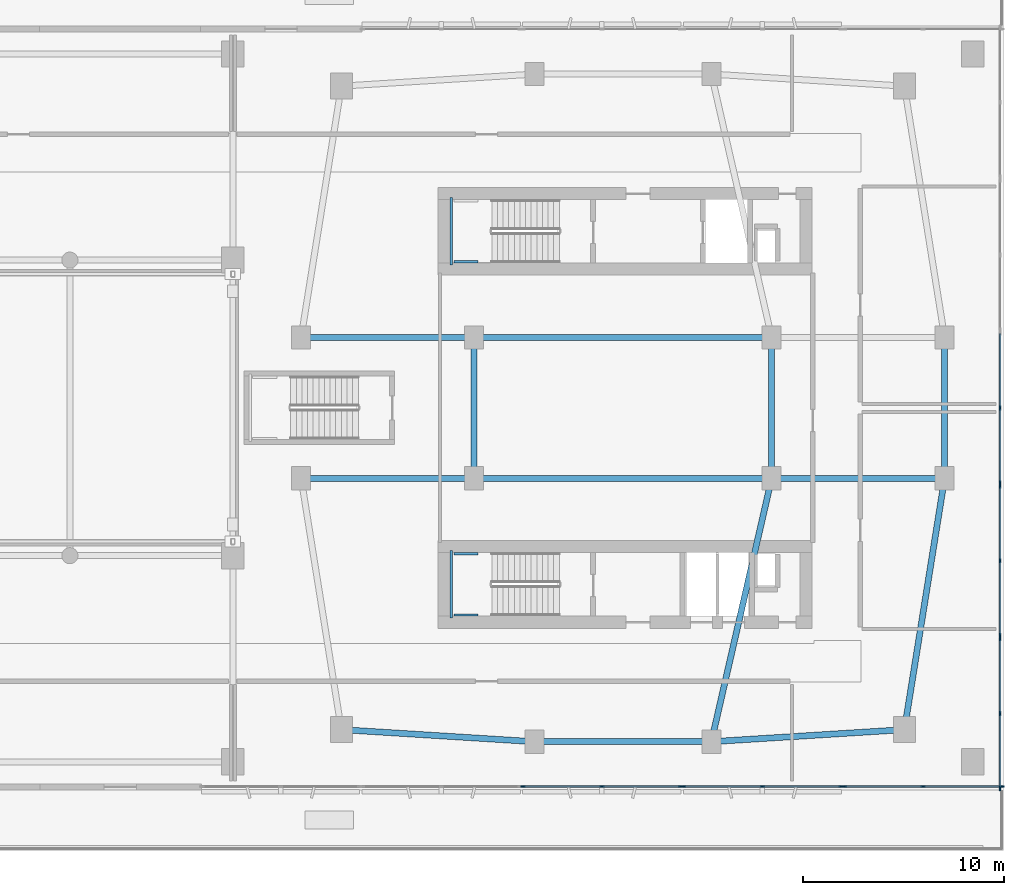
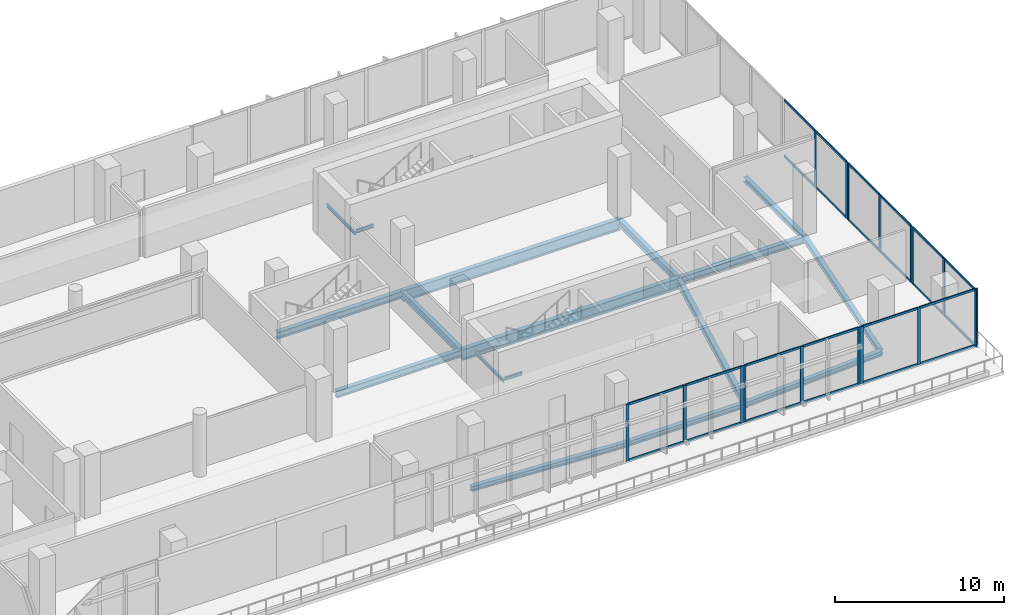
# One storey, part 9 of 31: 41 members, 18 beams, 6 elements without a shape of their own.
"""IFC4 building model written with IfcOpenShell, lengths in metres."""

from ifc_helpers import new_model, si_unit, derived_unit, direction, frame, origin, origin_2d, place, context, subcontext, project, spatial, rectangle, i_section, extrude, material, layer, layer_set, material_profile, profile_set, type_object, element, aggregate, save


model = new_model("IFC4")

# Units and contexts
model_context = context("Model", 3, precision=1e-05, world=origin(), true_north=direction((0.0, 1.0)))
body_context = subcontext(model_context, "Body", "Model", "MODEL_VIEW")
ifc_project = project(units=[si_unit("LENGTHUNIT", "METRE"), si_unit("AREAUNIT", "SQUARE_METRE"), si_unit("VOLUMEUNIT", "CUBIC_METRE"), si_unit("PLANEANGLEUNIT", "RADIAN"), si_unit("MASSUNIT", "GRAM", prefix="KILO"), derived_unit("THERMALTRANSMITTANCEUNIT", [(si_unit("POWERUNIT", "WATT"), 1), (si_unit("LENGTHUNIT", "METRE"), -2), (si_unit("THERMODYNAMICTEMPERATUREUNIT", "KELVIN"), -1)])], contexts=[model_context])

# Site, building, storey
site_placement = place(None, origin())
site = spatial("IfcSite", under=ifc_project, at=site_placement, CompositionType="ELEMENT")
building_placement = place(site_placement, origin())
building = spatial("IfcBuilding", under=site, at=building_placement, Name="Kivonza Crest Hotel", CompositionType="ELEMENT")
storey_placement = place(building_placement, frame((0.0, 0.0, 15.0)))
storey = spatial("IfcBuildingStorey", under=building, at=storey_placement, Name="L03", CompositionType="ELEMENT", Elevation=15.0)

# Beams
ifc_material_1 = material(Name="Steel S355", Category="steel")
ifc_material_profile_1 = material_profile(ifc_material_1, i_section(OverallWidth=0.300048828125, OverallDepth=0.360107421875, WebThickness=0.012451171875, FlangeThickness=0.0224609375, FilletRadius=0.027099609375, at=origin_2d()), Name="HEB 360")
ifc_profile_set_1 = profile_set([ifc_material_profile_1], Name="Steel S355")
beam_type_1 = type_object("IfcBeamType", Name="BM-HEB360", PredefinedType="SPANDREL", material=ifc_profile_set_1)
beam_1_placement = place(storey_placement, frame((72.60009765625, 8.39990234375, -0.530029296875), z_axis=(1.0, 0.0, 0.0), x_axis=(0.0, 1.0, 0.0)))
element("IfcBeam", 1, at=beam_1_placement, inside=storey, type_object=beam_type_1, Name="Companion Tower T2 L03 perimeter spandrel S1-S2", PredefinedType="SPANDREL", context=body_context, shape_type="SweptSolid", body=[
    extrude(i_section(OverallWidth=0.300048828125, OverallDepth=0.360107421875, WebThickness=0.012451171875, FlangeThickness=0.0224609375, FilletRadius=0.027099609375, at=origin_2d()), origin(), (0.0, 0.0, 1.0), 8.7998046875),
])
beam_2_placement = place(storey_placement, frame((81.39990234375, 8.39990234375, -0.530029296875), z_axis=(0.998051985873, 0.062387767186, 0.0), x_axis=(-0.062387767186, 0.998051985873, 0.0)))
element("IfcBeam", 2, at=beam_2_placement, inside=storey, type_object=beam_type_1, Name="Companion Tower T2 L03 perimeter spandrel S2-SE", PredefinedType="SPANDREL", context=body_context, shape_type="SweptSolid", body=[
    extrude(i_section(OverallWidth=0.300048828125, OverallDepth=0.360107421875, WebThickness=0.012451171875, FlangeThickness=0.0224609375, FilletRadius=0.027099609375, at=origin_2d()), origin(), (0.0, 0.0, 1.0), 9.618896484375),
])
beam_3_placement = place(storey_placement, frame((91.0, 9.0, -0.530029296875), z_axis=(0.157990501107, 0.987440631917, 0.0), x_axis=(-0.987440631917, 0.157990501107, 0.0)))
element("IfcBeam", 3, at=beam_3_placement, inside=storey, type_object=beam_type_1, Name="Companion Tower T2 L03 perimeter spandrel SE-E1", PredefinedType="SPANDREL", context=body_context, shape_type="SweptSolid", body=[
    extrude(i_section(OverallWidth=0.300048828125, OverallDepth=0.360107421875, WebThickness=0.012451171875, FlangeThickness=0.0224609375, FilletRadius=0.027099609375, at=origin_2d()), origin(), (0.0, 0.0, 1.0), 12.658935546875),
])
beam_4_placement = place(storey_placement, frame((93.0, 21.5, -0.530029296875), z_axis=(0.0, 1.0, 0.0), x_axis=(-1.0, 0.0, 0.0)))
element("IfcBeam", 4, at=beam_4_placement, inside=storey, type_object=beam_type_1, Name="Companion Tower T2 L03 perimeter spandrel E1-E2", PredefinedType="SPANDREL", context=body_context, shape_type="SweptSolid", body=[
    extrude(i_section(OverallWidth=0.300048828125, OverallDepth=0.360107421875, WebThickness=0.012451171875, FlangeThickness=0.0224609375, FilletRadius=0.027099609375, at=origin_2d()), origin(), (0.0, 0.0, 1.0), 7.0),
])
beam_5_placement = place(storey_placement, frame((63.0, 9.0, -0.530029296875), z_axis=(0.998051985873, -0.062387767186, 0.0), x_axis=(0.062387767186, 0.998051985873, 0.0)))
element("IfcBeam", 5, at=beam_5_placement, inside=storey, type_object=beam_type_1, Name="Companion Tower T2 L03 perimeter spandrel SW-S1", PredefinedType="SPANDREL", context=body_context, shape_type="SweptSolid", body=[
    extrude(i_section(OverallWidth=0.300048828125, OverallDepth=0.360107421875, WebThickness=0.012451171875, FlangeThickness=0.0224609375, FilletRadius=0.027099609375, at=origin_2d()), origin(), (0.0, 0.0, 1.0), 9.618896484375),
])
ifc_material_profile_2 = material_profile(ifc_material_1, i_section(OverallWidth=0.300048828125, OverallDepth=0.5, WebThickness=0.014404296875, FlangeThickness=0.028076171875, FilletRadius=0.027099609375, at=origin_2d()), Name="HEB 500")
ifc_profile_set_2 = profile_set([ifc_material_profile_2], Name="Steel S355")
beam_type_2 = type_object("IfcBeamType", Name="BM-HEB500", PredefinedType="BEAM", material=ifc_profile_set_2)
for number, where, z_axis, x_axis, name in (
    (6, (61.0, 21.5, -0.60009765625), (1.0, 0.0, 0.0), (0.0, 1.0, 0.0), "Companion Tower T2 L03 girder W1-WL1"),
    (7, (61.0, 28.5, -0.60009765625), (1.0, 0.0, 0.0), (0.0, 1.0, 0.0), "Companion Tower T2 L03 girder W2-WL2"),
):
    element("IfcBeam", number, at=place(storey_placement, frame(where, z_axis=z_axis, x_axis=x_axis)), inside=storey, type_object=beam_type_2, Name=name, PredefinedType="BEAM", context=body_context, shape_type="SweptSolid", body=[
        extrude(i_section(OverallWidth=0.300048828125, OverallDepth=0.5, WebThickness=0.014404296875, FlangeThickness=0.028076171875, FilletRadius=0.027099609375, at=origin_2d()), origin(), (0.0, 0.0, 1.0), 8.60009765625),
    ])
beam_6_placement = place(storey_placement, frame((69.60009765625, 21.5, -0.60009765625), z_axis=(0.0, 1.0, 0.0), x_axis=(-1.0, 0.0, 0.0)))
element("IfcBeam", 8, at=beam_6_placement, inside=storey, type_object=beam_type_2, Name="Companion Tower T2 L03 girder WL1-WL2", PredefinedType="BEAM", context=body_context, shape_type="SweptSolid", body=[
    extrude(i_section(OverallWidth=0.300048828125, OverallDepth=0.5, WebThickness=0.014404296875, FlangeThickness=0.028076171875, FilletRadius=0.027099609375, at=origin_2d()), origin(), (0.0, 0.0, 1.0), 7.0),
])
beam_7_placement = place(storey_placement, frame((84.39990234375, 21.5, -0.60009765625), z_axis=(1.0, 0.0, 0.0), x_axis=(0.0, 1.0, 0.0)))
element("IfcBeam", 9, at=beam_7_placement, inside=storey, type_object=beam_type_2, Name="Companion Tower T2 L03 girder WR1-E1", PredefinedType="BEAM", context=body_context, shape_type="SweptSolid", body=[
    extrude(i_section(OverallWidth=0.300048828125, OverallDepth=0.5, WebThickness=0.014404296875, FlangeThickness=0.028076171875, FilletRadius=0.027099609375, at=origin_2d()), origin(), (0.0, 0.0, 1.0), 8.60009765625),
])
beam_8_placement = place(storey_placement, frame((84.39990234375, 21.5, -0.60009765625), z_axis=(0.0, 1.0, 0.0), x_axis=(-1.0, 0.0, 0.0)))
element("IfcBeam", 10, at=beam_8_placement, inside=storey, type_object=beam_type_2, Name="Companion Tower T2 L03 girder WR1-WR2", PredefinedType="BEAM", context=body_context, shape_type="SweptSolid", body=[
    extrude(i_section(OverallWidth=0.300048828125, OverallDepth=0.5, WebThickness=0.014404296875, FlangeThickness=0.028076171875, FilletRadius=0.027099609375, at=origin_2d()), origin(), (0.0, 0.0, 1.0), 7.0),
])
beam_9_placement = place(storey_placement, frame((84.39990234375, 21.5, -0.60009765625), z_axis=(-0.223227287589, -0.974766422317, 0.0), x_axis=(0.974766422317, -0.223227287589, 0.0)))
element("IfcBeam", 11, at=beam_9_placement, inside=storey, type_object=beam_type_2, Name="Companion Tower T2 L03 girder WR1-S2", PredefinedType="BEAM", context=body_context, shape_type="SweptSolid", body=[
    extrude(i_section(OverallWidth=0.300048828125, OverallDepth=0.5, WebThickness=0.014404296875, FlangeThickness=0.028076171875, FilletRadius=0.027099609375, at=origin_2d()), origin(), (0.0, 0.0, 1.0), 13.439208984375),
])
ifc_material_profile_3 = material_profile(ifc_material_1, i_section(OverallWidth=0.300048828125, OverallDepth=0.800048828125, WebThickness=0.017578125, FlangeThickness=0.032958984375, FilletRadius=0.030029296875, at=origin_2d()), Name="HEB 800")
ifc_profile_set_3 = profile_set([ifc_material_profile_3], Name="Steel S355")
beam_type_3 = type_object("IfcBeamType", Name="BM-HEB800", PredefinedType="BEAM", material=ifc_profile_set_3)
for number, where, z_axis, x_axis, name in (
    (12, (69.60009765625, 21.5, -0.75), (1.0, 0.0, 0.0), (0.0, 1.0, 0.0), "L03 podium girder X 12"),
    (13, (69.60009765625, 28.5, -0.75), (1.0, 0.0, 0.0), (0.0, 1.0, 0.0), "L03 podium girder X 17"),
):
    element("IfcBeam", number, at=place(storey_placement, frame(where, z_axis=z_axis, x_axis=x_axis)), inside=storey, type_object=beam_type_3, Name=name, PredefinedType="BEAM", context=body_context, shape_type="SweptSolid", body=[
        extrude(i_section(OverallWidth=0.300048828125, OverallDepth=0.800048828125, WebThickness=0.017578125, FlangeThickness=0.032958984375, FilletRadius=0.030029296875, at=origin_2d()), origin(), (0.0, 0.0, 1.0), 14.7998046875),
    ])
ifc_material_profile_4 = material_profile(ifc_material_1, i_section(OverallWidth=0.1201171875, OverallDepth=0.239990234375, WebThickness=0.006103515625, FlangeThickness=0.009765625, FilletRadius=0.014892578125, at=origin_2d()), Name="IPE 240")
ifc_profile_set_4 = profile_set([ifc_material_profile_4], Name="Steel S355")
beam_type_4 = type_object("IfcBeamType", Name="BM-LLDG-240", PredefinedType="BEAM", material=ifc_profile_set_4)
beam_10_placement = place(storey_placement, frame((68.4599609375, 32.10009765625, 1.929931640625), z_axis=(0.0, 1.0, 0.0), x_axis=(-1.0, 0.0, 0.0)))
element("IfcBeam", 14, at=beam_10_placement, inside=storey, type_object=beam_type_4, Name="Stair ST-T2-N L03 West landing corbel", PredefinedType="BEAM", context=body_context, shape_type="SweptSolid", body=[
    extrude(i_section(OverallWidth=0.1201171875, OverallDepth=0.239990234375, WebThickness=0.006103515625, FlangeThickness=0.009765625, FilletRadius=0.014892578125, at=origin_2d()), origin(), (0.0, 0.0, 1.0), 3.35986328125),
])
beam_11_placement = place(storey_placement, frame((68.590087890625, 32.260009765625, 1.929931640625), z_axis=(1.0, 0.0, 0.0), x_axis=(0.0, 1.0, 0.0)))
element("IfcBeam", 15, at=beam_11_placement, inside=storey, type_object=beam_type_4, Name="Stair ST-T2-N L03 South landing corbel", PredefinedType="BEAM", context=body_context, shape_type="SweptSolid", body=[
    extrude(i_section(OverallWidth=0.1201171875, OverallDepth=0.239990234375, WebThickness=0.006103515625, FlangeThickness=0.009765625, FilletRadius=0.014892578125, at=origin_2d()), origin(), (0.0, 0.0, 1.0), 1.2099609375),
])
beam_12_placement = place(storey_placement, frame((68.4599609375, 14.5400390625, 1.929931640625), z_axis=(0.0, 1.0, 0.0), x_axis=(-1.0, 0.0, 0.0)))
element("IfcBeam", 16, at=beam_12_placement, inside=storey, type_object=beam_type_4, Name="Stair ST-T2-S L03 West landing corbel", PredefinedType="BEAM", context=body_context, shape_type="SweptSolid", body=[
    extrude(i_section(OverallWidth=0.1201171875, OverallDepth=0.239990234375, WebThickness=0.006103515625, FlangeThickness=0.009765625, FilletRadius=0.014892578125, at=origin_2d()), origin(), (0.0, 0.0, 1.0), 3.35986328125),
])
for number, where, z_axis, x_axis, name in (
    (17, (68.590087890625, 14.699951171875, 1.929931640625), (1.0, 0.0, 0.0), (0.0, 1.0, 0.0), "Stair ST-T2-S L03 South landing corbel"),
    (18, (68.590087890625, 17.739990234375, 1.929931640625), (1.0, 0.0, 0.0), (0.0, 1.0, 0.0), "Stair ST-T2-S L03 North landing corbel"),
):
    element("IfcBeam", number, at=place(storey_placement, frame(where, z_axis=z_axis, x_axis=x_axis)), inside=storey, type_object=beam_type_4, Name=name, PredefinedType="BEAM", context=body_context, shape_type="SweptSolid", body=[
        extrude(i_section(OverallWidth=0.1201171875, OverallDepth=0.239990234375, WebThickness=0.006103515625, FlangeThickness=0.009765625, FilletRadius=0.014892578125, at=origin_2d()), origin(), (0.0, 0.0, 1.0), 1.2099609375),
    ])

# Curtain wall, members
ifc_material_2 = material(Name="Anodised bronze aluminium and low-E double glazing", Category="aluminium")
ifc_layer = layer(ifc_material_2, 0.199951171875)
ifc_layer_set = layer_set([ifc_layer], Name="Anodised bronze aluminium and low-E double glazing")
curtain_wall_type = type_object("IfcCurtainWallType", Name="CW-SYS-6", PredefinedType="NOTDEFINED", material=ifc_layer_set)
curtain_wall_1_placement = place(storey_placement, origin())
curtain_wall_1 = element("IfcCurtainWall", 19, at=curtain_wall_1_placement, inside=storey, type_object=curtain_wall_type, Name="L03 unitised curtain wall CW-POD-L03-10", PredefinedType="NOTDEFINED")
ifc_material_3 = material(Name="Anodised bronze aluminium", Category="aluminium")
ifc_material_profile_5 = material_profile(ifc_material_3, rectangle(XDim=0.074951171875, YDim=0.219970703125, at=origin_2d()), Name="CW-M 75x220")
ifc_profile_set_5 = profile_set([ifc_material_profile_5], Name="Anodised bronze aluminium")
member_type_1 = type_object("IfcMemberType", Name="CW-MUL-75x220", PredefinedType="MULLION", material=ifc_profile_set_5)
member_1_placement = place(storey_placement, frame((72.03759765625, 6.159912109375, 0.0), z_axis=(0.0, 0.0, 1.0), x_axis=(0.0, 1.0, 0.0)))
member_1 = element("IfcMember", 20, at=member_1_placement, type_object=member_type_1, Name="CW-6 mullion 1", PredefinedType="MULLION", context=body_context, shape_type="SweptSolid", body=[
    extrude(rectangle(XDim=0.074951171875, YDim=0.219970703125, at=origin_2d()), origin(), (0.0, 0.0, 1.0), 4.10009765625),
])
member_2_placement = place(storey_placement, frame((75.95361328125, 6.159912109375, 0.0), z_axis=(0.0, 0.0, 1.0), x_axis=(0.0, 1.0, 0.0)))
member_2 = element("IfcMember", 21, at=member_2_placement, type_object=member_type_1, Name="CW-6 mullion 2", PredefinedType="MULLION", context=body_context, shape_type="SweptSolid", body=[
    extrude(rectangle(XDim=0.074951171875, YDim=0.219970703125, at=origin_2d()), origin(), (0.0, 0.0, 1.0), 4.10009765625),
])
member_3_placement = place(storey_placement, frame((79.869384765625, 6.159912109375, 0.0), z_axis=(0.0, 0.0, 1.0), x_axis=(0.0, 1.0, 0.0)))
member_3 = element("IfcMember", 22, at=member_3_placement, type_object=member_type_1, Name="CW-6 mullion 3", PredefinedType="MULLION", context=body_context, shape_type="SweptSolid", body=[
    extrude(rectangle(XDim=0.074951171875, YDim=0.219970703125, at=origin_2d()), origin(), (0.0, 0.0, 1.0), 4.10009765625),
])

curtain_wall_2_placement = place(storey_placement, origin())
curtain_wall_2 = element("IfcCurtainWall", 23, at=curtain_wall_2_placement, inside=storey, type_object=curtain_wall_type, Name="L03 unitised curtain wall CW-POD-L03-11", PredefinedType="NOTDEFINED")
member_4_placement = place(storey_placement, frame((80.0244140625, 6.159912109375, 0.0), z_axis=(0.0, 0.0, 1.0), x_axis=(0.0, 1.0, 0.0)))
member_4 = element("IfcMember", 24, at=member_4_placement, type_object=member_type_1, Name="CW-6 mullion 1", PredefinedType="MULLION", context=body_context, shape_type="SweptSolid", body=[
    extrude(rectangle(XDim=0.074951171875, YDim=0.219970703125, at=origin_2d()), origin(), (0.0, 0.0, 1.0), 4.10009765625),
])
member_5_placement = place(storey_placement, frame((83.93994140625, 6.159912109375, 0.0), z_axis=(0.0, 0.0, 1.0), x_axis=(0.0, 1.0, 0.0)))
member_5 = element("IfcMember", 25, at=member_5_placement, type_object=member_type_1, Name="CW-6 mullion 2", PredefinedType="MULLION", context=body_context, shape_type="SweptSolid", body=[
    extrude(rectangle(XDim=0.074951171875, YDim=0.219970703125, at=origin_2d()), origin(), (0.0, 0.0, 1.0), 4.10009765625),
])
member_6_placement = place(storey_placement, frame((87.85546875, 6.159912109375, 0.0), z_axis=(0.0, 0.0, 1.0), x_axis=(0.0, 1.0, 0.0)))
member_6 = element("IfcMember", 26, at=member_6_placement, type_object=member_type_1, Name="CW-6 mullion 3", PredefinedType="MULLION", context=body_context, shape_type="SweptSolid", body=[
    extrude(rectangle(XDim=0.074951171875, YDim=0.219970703125, at=origin_2d()), origin(), (0.0, 0.0, 1.0), 4.10009765625),
])

curtain_wall_3_placement = place(storey_placement, origin())
curtain_wall_3 = element("IfcCurtainWall", 27, at=curtain_wall_3_placement, inside=storey, type_object=curtain_wall_type, Name="L03 unitised curtain wall CW-POD-L03-12", PredefinedType="NOTDEFINED")
member_7_placement = place(storey_placement, frame((88.010498046875, 6.159912109375, 0.0), z_axis=(0.0, 0.0, 1.0), x_axis=(0.0, 1.0, 0.0)))
member_7 = element("IfcMember", 28, at=member_7_placement, type_object=member_type_1, Name="CW-6 mullion 1", PredefinedType="MULLION", context=body_context, shape_type="SweptSolid", body=[
    extrude(rectangle(XDim=0.074951171875, YDim=0.219970703125, at=origin_2d()), origin(), (0.0, 0.0, 1.0), 4.10009765625),
])
member_8_placement = place(storey_placement, frame((91.926513671875, 6.159912109375, 0.0), z_axis=(0.0, 0.0, 1.0), x_axis=(0.0, 1.0, 0.0)))
member_8 = element("IfcMember", 29, at=member_8_placement, type_object=member_type_1, Name="CW-6 mullion 2", PredefinedType="MULLION", context=body_context, shape_type="SweptSolid", body=[
    extrude(rectangle(XDim=0.074951171875, YDim=0.219970703125, at=origin_2d()), origin(), (0.0, 0.0, 1.0), 4.10009765625),
])
member_9_placement = place(storey_placement, frame((95.842529296875, 6.159912109375, 0.0), z_axis=(0.0, 0.0, 1.0), x_axis=(0.0, 1.0, 0.0)))
member_9 = element("IfcMember", 30, at=member_9_placement, type_object=member_type_1, Name="CW-6 mullion 3", PredefinedType="MULLION", context=body_context, shape_type="SweptSolid", body=[
    extrude(rectangle(XDim=0.074951171875, YDim=0.219970703125, at=origin_2d()), origin(), (0.0, 0.0, 1.0), 4.10009765625),
])

curtain_wall_4_placement = place(storey_placement, origin())
curtain_wall_4 = element("IfcCurtainWall", 31, at=curtain_wall_4_placement, inside=storey, type_object=curtain_wall_type, Name="L03 unitised curtain wall CW-POD-L03-13", PredefinedType="NOTDEFINED")
member_10_placement = place(storey_placement, frame((95.760009765625, 6.077392578125, 0.0), z_axis=(0.0, 0.0, 1.0), x_axis=(-1.0, 0.0, 0.0)))
member_10 = element("IfcMember", 32, at=member_10_placement, type_object=member_type_1, Name="CW-6 mullion 1", PredefinedType="MULLION", context=body_context, shape_type="SweptSolid", body=[
    extrude(rectangle(XDim=0.074951171875, YDim=0.219970703125, at=origin_2d()), origin(), (0.0, 0.0, 1.0), 4.10009765625),
])
member_11_placement = place(storey_placement, frame((95.760009765625, 9.800048828125, 0.0), z_axis=(0.0, 0.0, 1.0), x_axis=(-1.0, 0.0, 0.0)))
member_11 = element("IfcMember", 33, at=member_11_placement, type_object=member_type_1, Name="CW-6 mullion 2", PredefinedType="MULLION", context=body_context, shape_type="SweptSolid", body=[
    extrude(rectangle(XDim=0.074951171875, YDim=0.219970703125, at=origin_2d()), origin(), (0.0, 0.0, 1.0), 4.10009765625),
])
member_12_placement = place(storey_placement, frame((95.760009765625, 13.5224609375, 0.0), z_axis=(0.0, 0.0, 1.0), x_axis=(-1.0, 0.0, 0.0)))
member_12 = element("IfcMember", 34, at=member_12_placement, type_object=member_type_1, Name="CW-6 mullion 3", PredefinedType="MULLION", context=body_context, shape_type="SweptSolid", body=[
    extrude(rectangle(XDim=0.074951171875, YDim=0.219970703125, at=origin_2d()), origin(), (0.0, 0.0, 1.0), 4.10009765625),
])

curtain_wall_5_placement = place(storey_placement, origin())
curtain_wall_5 = element("IfcCurtainWall", 35, at=curtain_wall_5_placement, inside=storey, type_object=curtain_wall_type, Name="L03 unitised curtain wall CW-POD-L03-14", PredefinedType="NOTDEFINED")
member_13_placement = place(storey_placement, frame((95.760009765625, 13.677490234375, 0.0), z_axis=(0.0, 0.0, 1.0), x_axis=(-1.0, 0.0, 0.0)))
member_13 = element("IfcMember", 36, at=member_13_placement, type_object=member_type_1, Name="CW-6 mullion 1", PredefinedType="MULLION", context=body_context, shape_type="SweptSolid", body=[
    extrude(rectangle(XDim=0.074951171875, YDim=0.219970703125, at=origin_2d()), origin(), (0.0, 0.0, 1.0), 4.10009765625),
])
member_14_placement = place(storey_placement, frame((95.760009765625, 17.39990234375, 0.0), z_axis=(0.0, 0.0, 1.0), x_axis=(-1.0, 0.0, 0.0)))
member_14 = element("IfcMember", 37, at=member_14_placement, type_object=member_type_1, Name="CW-6 mullion 2", PredefinedType="MULLION", context=body_context, shape_type="SweptSolid", body=[
    extrude(rectangle(XDim=0.074951171875, YDim=0.219970703125, at=origin_2d()), origin(), (0.0, 0.0, 1.0), 4.10009765625),
])
member_15_placement = place(storey_placement, frame((95.760009765625, 21.12255859375, 0.0), z_axis=(0.0, 0.0, 1.0), x_axis=(-1.0, 0.0, 0.0)))
member_15 = element("IfcMember", 38, at=member_15_placement, type_object=member_type_1, Name="CW-6 mullion 3", PredefinedType="MULLION", context=body_context, shape_type="SweptSolid", body=[
    extrude(rectangle(XDim=0.074951171875, YDim=0.219970703125, at=origin_2d()), origin(), (0.0, 0.0, 1.0), 4.10009765625),
])

curtain_wall_6_placement = place(storey_placement, origin())
curtain_wall_6 = element("IfcCurtainWall", 39, at=curtain_wall_6_placement, inside=storey, type_object=curtain_wall_type, Name="L03 unitised curtain wall CW-POD-L03-15", PredefinedType="NOTDEFINED")
member_16_placement = place(storey_placement, frame((95.760009765625, 21.277587890625, 0.0), z_axis=(0.0, 0.0, 1.0), x_axis=(-1.0, 0.0, 0.0)))
member_16 = element("IfcMember", 40, at=member_16_placement, type_object=member_type_1, Name="CW-6 mullion 1", PredefinedType="MULLION", context=body_context, shape_type="SweptSolid", body=[
    extrude(rectangle(XDim=0.074951171875, YDim=0.219970703125, at=origin_2d()), origin(), (0.0, 0.0, 1.0), 4.10009765625),
])
member_17_placement = place(storey_placement, frame((95.760009765625, 25.0, 0.0), z_axis=(0.0, 0.0, 1.0), x_axis=(-1.0, 0.0, 0.0)))
member_17 = element("IfcMember", 41, at=member_17_placement, type_object=member_type_1, Name="CW-6 mullion 2", PredefinedType="MULLION", context=body_context, shape_type="SweptSolid", body=[
    extrude(rectangle(XDim=0.074951171875, YDim=0.219970703125, at=origin_2d()), origin(), (0.0, 0.0, 1.0), 4.10009765625),
])

# Member
ifc_material_profile_6 = material_profile(ifc_material_3, rectangle(XDim=0.074951171875, YDim=0.159912109375, at=origin_2d()), Name="CW-T 75x160")
ifc_profile_set_6 = profile_set([ifc_material_profile_6], Name="Anodised bronze aluminium")
member_type_2 = type_object("IfcMemberType", Name="CW-TRN-75x160", PredefinedType="USERDEFINED", material=ifc_profile_set_6)
member_18_placement = place(storey_placement, frame((72.074951171875, 6.159912109375, 0.03759765625), z_axis=(1.0, 0.0, 0.0), x_axis=(0.0, 1.0, 0.0)))
member_18 = element("IfcMember", 42, at=member_18_placement, type_object=member_type_2, Name="CW-6 transom 1.1", ObjectType="TRANSOM", PredefinedType="USERDEFINED", context=body_context, shape_type="SweptSolid", body=[
    extrude(rectangle(XDim=0.074951171875, YDim=0.159912109375, at=origin_2d()), origin(), (0.0, 0.0, 1.0), 3.841064453125),
])

member_19_placement = place(storey_placement, frame((72.074951171875, 6.159912109375, 4.0625), z_axis=(1.0, 0.0, 0.0), x_axis=(0.0, 1.0, 0.0)))
member_19 = element("IfcMember", 43, at=member_19_placement, type_object=member_type_2, Name="CW-6 transom 1.2", ObjectType="TRANSOM", PredefinedType="USERDEFINED", context=body_context, shape_type="SweptSolid", body=[
    extrude(rectangle(XDim=0.074951171875, YDim=0.159912109375, at=origin_2d()), origin(), (0.0, 0.0, 1.0), 3.841064453125),
])

member_20_placement = place(storey_placement, frame((75.990966796875, 6.159912109375, 0.03759765625), z_axis=(1.0, 0.0, 0.0), x_axis=(0.0, 1.0, 0.0)))
member_20 = element("IfcMember", 44, at=member_20_placement, type_object=member_type_2, Name="CW-6 transom 2.1", ObjectType="TRANSOM", PredefinedType="USERDEFINED", context=body_context, shape_type="SweptSolid", body=[
    extrude(rectangle(XDim=0.074951171875, YDim=0.159912109375, at=origin_2d()), origin(), (0.0, 0.0, 1.0), 3.841064453125),
])

member_21_placement = place(storey_placement, frame((75.990966796875, 6.159912109375, 4.0625), z_axis=(1.0, 0.0, 0.0), x_axis=(0.0, 1.0, 0.0)))
member_21 = element("IfcMember", 45, at=member_21_placement, type_object=member_type_2, Name="CW-6 transom 2.2", ObjectType="TRANSOM", PredefinedType="USERDEFINED", context=body_context, shape_type="SweptSolid", body=[
    extrude(rectangle(XDim=0.074951171875, YDim=0.159912109375, at=origin_2d()), origin(), (0.0, 0.0, 1.0), 3.841064453125),
])

aggregate(curtain_wall_1, [member_1, member_2, member_3, member_18, member_19, member_20, member_21])

member_22_placement = place(storey_placement, frame((80.06201171875, 6.159912109375, 0.03759765625), z_axis=(1.0, 0.0, 0.0), x_axis=(0.0, 1.0, 0.0)))
member_22 = element("IfcMember", 46, at=member_22_placement, type_object=member_type_2, Name="CW-6 transom 1.1", ObjectType="TRANSOM", PredefinedType="USERDEFINED", context=body_context, shape_type="SweptSolid", body=[
    extrude(rectangle(XDim=0.074951171875, YDim=0.159912109375, at=origin_2d()), origin(), (0.0, 0.0, 1.0), 3.840576171875),
])

member_23_placement = place(storey_placement, frame((80.06201171875, 6.159912109375, 4.0625), z_axis=(1.0, 0.0, 0.0), x_axis=(0.0, 1.0, 0.0)))
member_23 = element("IfcMember", 47, at=member_23_placement, type_object=member_type_2, Name="CW-6 transom 1.2", ObjectType="TRANSOM", PredefinedType="USERDEFINED", context=body_context, shape_type="SweptSolid", body=[
    extrude(rectangle(XDim=0.074951171875, YDim=0.159912109375, at=origin_2d()), origin(), (0.0, 0.0, 1.0), 3.840576171875),
])

member_24_placement = place(storey_placement, frame((83.9775390625, 6.159912109375, 0.03759765625), z_axis=(1.0, 0.0, 0.0), x_axis=(0.0, 1.0, 0.0)))
member_24 = element("IfcMember", 48, at=member_24_placement, type_object=member_type_2, Name="CW-6 transom 2.1", ObjectType="TRANSOM", PredefinedType="USERDEFINED", context=body_context, shape_type="SweptSolid", body=[
    extrude(rectangle(XDim=0.074951171875, YDim=0.159912109375, at=origin_2d()), origin(), (0.0, 0.0, 1.0), 3.840576171875),
])

member_25_placement = place(storey_placement, frame((83.9775390625, 6.159912109375, 4.0625), z_axis=(1.0, 0.0, 0.0), x_axis=(0.0, 1.0, 0.0)))
member_25 = element("IfcMember", 49, at=member_25_placement, type_object=member_type_2, Name="CW-6 transom 2.2", ObjectType="TRANSOM", PredefinedType="USERDEFINED", context=body_context, shape_type="SweptSolid", body=[
    extrude(rectangle(XDim=0.074951171875, YDim=0.159912109375, at=origin_2d()), origin(), (0.0, 0.0, 1.0), 3.840576171875),
])

aggregate(curtain_wall_2, [member_4, member_5, member_6, member_22, member_23, member_24, member_25])

member_26_placement = place(storey_placement, frame((88.048095703125, 6.159912109375, 0.03759765625), z_axis=(1.0, 0.0, 0.0), x_axis=(0.0, 1.0, 0.0)))
member_26 = element("IfcMember", 50, at=member_26_placement, type_object=member_type_2, Name="CW-6 transom 1.1", ObjectType="TRANSOM", PredefinedType="USERDEFINED", context=body_context, shape_type="SweptSolid", body=[
    extrude(rectangle(XDim=0.074951171875, YDim=0.159912109375, at=origin_2d()), origin(), (0.0, 0.0, 1.0), 3.8408203125),
])

member_27_placement = place(storey_placement, frame((88.048095703125, 6.159912109375, 4.0625), z_axis=(1.0, 0.0, 0.0), x_axis=(0.0, 1.0, 0.0)))
member_27 = element("IfcMember", 51, at=member_27_placement, type_object=member_type_2, Name="CW-6 transom 1.2", ObjectType="TRANSOM", PredefinedType="USERDEFINED", context=body_context, shape_type="SweptSolid", body=[
    extrude(rectangle(XDim=0.074951171875, YDim=0.159912109375, at=origin_2d()), origin(), (0.0, 0.0, 1.0), 3.8408203125),
])

member_28_placement = place(storey_placement, frame((91.964111328125, 6.159912109375, 0.03759765625), z_axis=(1.0, 0.0, 0.0), x_axis=(0.0, 1.0, 0.0)))
member_28 = element("IfcMember", 52, at=member_28_placement, type_object=member_type_2, Name="CW-6 transom 2.1", ObjectType="TRANSOM", PredefinedType="USERDEFINED", context=body_context, shape_type="SweptSolid", body=[
    extrude(rectangle(XDim=0.074951171875, YDim=0.159912109375, at=origin_2d()), origin(), (0.0, 0.0, 1.0), 3.8408203125),
])

member_29_placement = place(storey_placement, frame((91.964111328125, 6.159912109375, 4.0625), z_axis=(1.0, 0.0, 0.0), x_axis=(0.0, 1.0, 0.0)))
member_29 = element("IfcMember", 53, at=member_29_placement, type_object=member_type_2, Name="CW-6 transom 2.2", ObjectType="TRANSOM", PredefinedType="USERDEFINED", context=body_context, shape_type="SweptSolid", body=[
    extrude(rectangle(XDim=0.074951171875, YDim=0.159912109375, at=origin_2d()), origin(), (0.0, 0.0, 1.0), 3.8408203125),
])

aggregate(curtain_wall_3, [member_7, member_8, member_9, member_26, member_27, member_28, member_29])

member_30_placement = place(storey_placement, frame((95.760009765625, 6.114990234375, 0.03759765625), z_axis=(0.0, 1.0, 0.0), x_axis=(-1.0, 0.0, 0.0)))
member_30 = element("IfcMember", 54, at=member_30_placement, type_object=member_type_2, Name="CW-6 transom 1.1", ObjectType="TRANSOM", PredefinedType="USERDEFINED", context=body_context, shape_type="SweptSolid", body=[
    extrude(rectangle(XDim=0.074951171875, YDim=0.159912109375, at=origin_2d()), origin(), (0.0, 0.0, 1.0), 3.6474609375),
])

member_31_placement = place(storey_placement, frame((95.760009765625, 6.114990234375, 4.0625), z_axis=(0.0, 1.0, 0.0), x_axis=(-1.0, 0.0, 0.0)))
member_31 = element("IfcMember", 55, at=member_31_placement, type_object=member_type_2, Name="CW-6 transom 1.2", ObjectType="TRANSOM", PredefinedType="USERDEFINED", context=body_context, shape_type="SweptSolid", body=[
    extrude(rectangle(XDim=0.074951171875, YDim=0.159912109375, at=origin_2d()), origin(), (0.0, 0.0, 1.0), 3.6474609375),
])

member_32_placement = place(storey_placement, frame((95.760009765625, 9.83740234375, 0.03759765625), z_axis=(0.0, 1.0, 0.0), x_axis=(-1.0, 0.0, 0.0)))
member_32 = element("IfcMember", 56, at=member_32_placement, type_object=member_type_2, Name="CW-6 transom 2.1", ObjectType="TRANSOM", PredefinedType="USERDEFINED", context=body_context, shape_type="SweptSolid", body=[
    extrude(rectangle(XDim=0.074951171875, YDim=0.159912109375, at=origin_2d()), origin(), (0.0, 0.0, 1.0), 3.647705078125),
])

member_33_placement = place(storey_placement, frame((95.760009765625, 9.83740234375, 4.0625), z_axis=(0.0, 1.0, 0.0), x_axis=(-1.0, 0.0, 0.0)))
member_33 = element("IfcMember", 57, at=member_33_placement, type_object=member_type_2, Name="CW-6 transom 2.2", ObjectType="TRANSOM", PredefinedType="USERDEFINED", context=body_context, shape_type="SweptSolid", body=[
    extrude(rectangle(XDim=0.074951171875, YDim=0.159912109375, at=origin_2d()), origin(), (0.0, 0.0, 1.0), 3.647705078125),
])

aggregate(curtain_wall_4, [member_10, member_11, member_12, member_30, member_31, member_32, member_33])

member_34_placement = place(storey_placement, frame((95.760009765625, 13.715087890625, 0.03759765625), z_axis=(0.0, 1.0, 0.0), x_axis=(-1.0, 0.0, 0.0)))
member_34 = element("IfcMember", 58, at=member_34_placement, type_object=member_type_2, Name="CW-6 transom 1.1", ObjectType="TRANSOM", PredefinedType="USERDEFINED", context=body_context, shape_type="SweptSolid", body=[
    extrude(rectangle(XDim=0.074951171875, YDim=0.159912109375, at=origin_2d()), origin(), (0.0, 0.0, 1.0), 3.6474609375),
])

member_35_placement = place(storey_placement, frame((95.760009765625, 13.715087890625, 4.0625), z_axis=(0.0, 1.0, 0.0), x_axis=(-1.0, 0.0, 0.0)))
member_35 = element("IfcMember", 59, at=member_35_placement, type_object=member_type_2, Name="CW-6 transom 1.2", ObjectType="TRANSOM", PredefinedType="USERDEFINED", context=body_context, shape_type="SweptSolid", body=[
    extrude(rectangle(XDim=0.074951171875, YDim=0.159912109375, at=origin_2d()), origin(), (0.0, 0.0, 1.0), 3.6474609375),
])

member_36_placement = place(storey_placement, frame((95.760009765625, 17.4375, 0.03759765625), z_axis=(0.0, 1.0, 0.0), x_axis=(-1.0, 0.0, 0.0)))
member_36 = element("IfcMember", 60, at=member_36_placement, type_object=member_type_2, Name="CW-6 transom 2.1", ObjectType="TRANSOM", PredefinedType="USERDEFINED", context=body_context, shape_type="SweptSolid", body=[
    extrude(rectangle(XDim=0.074951171875, YDim=0.159912109375, at=origin_2d()), origin(), (0.0, 0.0, 1.0), 3.6474609375),
])

member_37_placement = place(storey_placement, frame((95.760009765625, 17.4375, 4.0625), z_axis=(0.0, 1.0, 0.0), x_axis=(-1.0, 0.0, 0.0)))
member_37 = element("IfcMember", 61, at=member_37_placement, type_object=member_type_2, Name="CW-6 transom 2.2", ObjectType="TRANSOM", PredefinedType="USERDEFINED", context=body_context, shape_type="SweptSolid", body=[
    extrude(rectangle(XDim=0.074951171875, YDim=0.159912109375, at=origin_2d()), origin(), (0.0, 0.0, 1.0), 3.6474609375),
])

aggregate(curtain_wall_5, [member_13, member_14, member_15, member_34, member_35, member_36, member_37])

member_38_placement = place(storey_placement, frame((95.760009765625, 21.31494140625, 0.03759765625), z_axis=(0.0, 1.0, 0.0), x_axis=(-1.0, 0.0, 0.0)))
member_38 = element("IfcMember", 62, at=member_38_placement, type_object=member_type_2, Name="CW-6 transom 1.1", ObjectType="TRANSOM", PredefinedType="USERDEFINED", context=body_context, shape_type="SweptSolid", body=[
    extrude(rectangle(XDim=0.074951171875, YDim=0.159912109375, at=origin_2d()), origin(), (0.0, 0.0, 1.0), 3.6474609375),
])

member_39_placement = place(storey_placement, frame((95.760009765625, 21.31494140625, 4.0625), z_axis=(0.0, 1.0, 0.0), x_axis=(-1.0, 0.0, 0.0)))
member_39 = element("IfcMember", 63, at=member_39_placement, type_object=member_type_2, Name="CW-6 transom 1.2", ObjectType="TRANSOM", PredefinedType="USERDEFINED", context=body_context, shape_type="SweptSolid", body=[
    extrude(rectangle(XDim=0.074951171875, YDim=0.159912109375, at=origin_2d()), origin(), (0.0, 0.0, 1.0), 3.6474609375),
])

member_40_placement = place(storey_placement, frame((95.760009765625, 25.03759765625, 0.03759765625), z_axis=(0.0, 1.0, 0.0), x_axis=(-1.0, 0.0, 0.0)))
member_40 = element("IfcMember", 64, at=member_40_placement, type_object=member_type_2, Name="CW-6 transom 2.1", ObjectType="TRANSOM", PredefinedType="USERDEFINED", context=body_context, shape_type="SweptSolid", body=[
    extrude(rectangle(XDim=0.074951171875, YDim=0.159912109375, at=origin_2d()), origin(), (0.0, 0.0, 1.0), 3.6474609375),
])

member_41_placement = place(storey_placement, frame((95.760009765625, 25.03759765625, 4.0625), z_axis=(0.0, 1.0, 0.0), x_axis=(-1.0, 0.0, 0.0)))
member_41 = element("IfcMember", 65, at=member_41_placement, type_object=member_type_2, Name="CW-6 transom 2.2", ObjectType="TRANSOM", PredefinedType="USERDEFINED", context=body_context, shape_type="SweptSolid", body=[
    extrude(rectangle(XDim=0.074951171875, YDim=0.159912109375, at=origin_2d()), origin(), (0.0, 0.0, 1.0), 3.6474609375),
])

aggregate(curtain_wall_6, [member_16, member_17, member_38, member_39, member_40, member_41])

save(model, "model.ifc")
